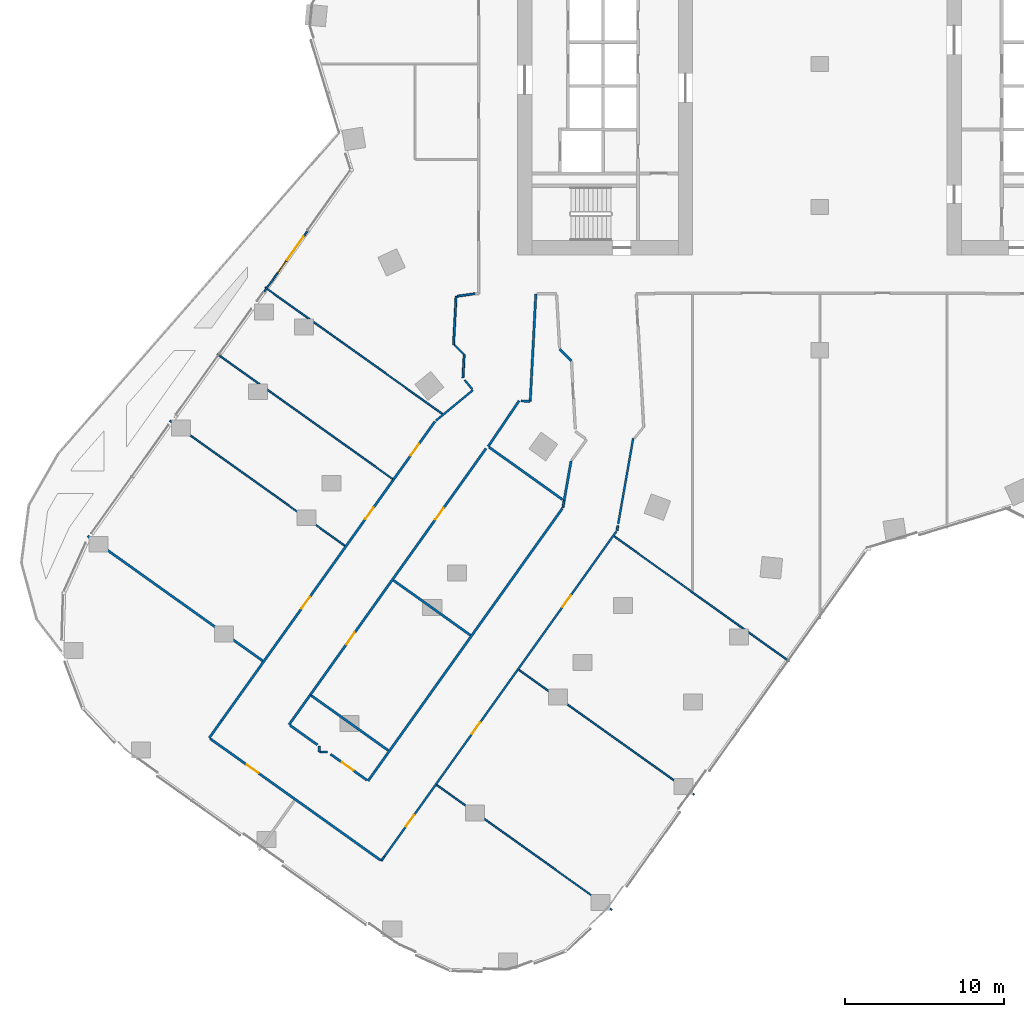
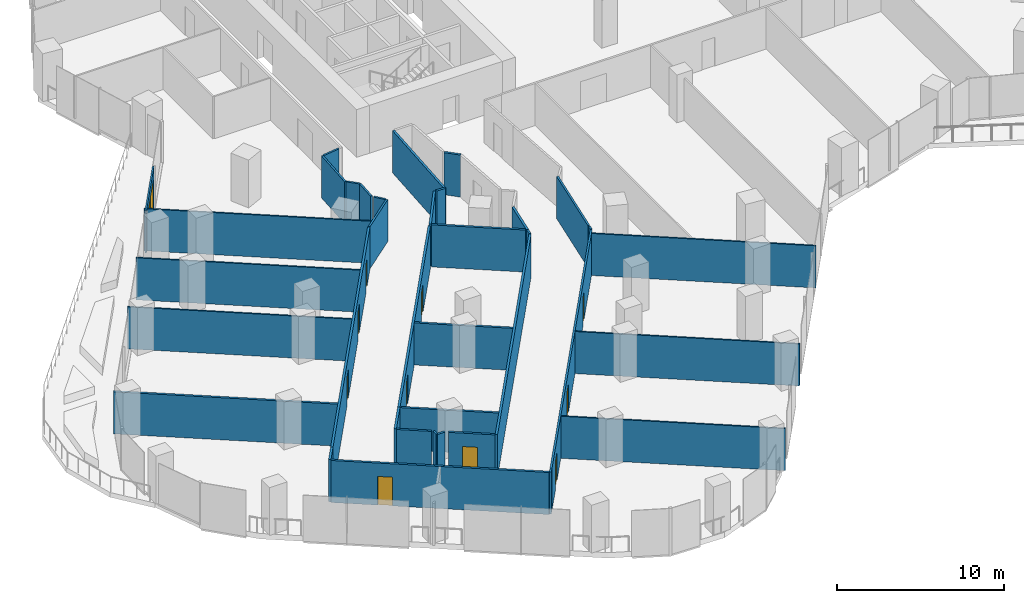
# One storey, part 21 of 30: 37 walls, 11 doors, 1 window, 12 openings.
"""IFC4 building model written with IfcOpenShell, lengths in metres."""

from ifc_helpers import new_model, si_unit, direction, frame, frame_2d, origin, place, context, subcontext, project, spatial, rectangle, extrude, material, layer, layer_set, type_object, element, fill, save


model = new_model("IFC4")

# Units and contexts
model_context = context("Model", 3, precision=1e-05, world=origin(), true_north=direction((0.0, 1.0)))
body_context = subcontext(model_context, "Body", "Model", "MODEL_VIEW")
ifc_project = project(units=[si_unit("LENGTHUNIT", "METRE"), si_unit("AREAUNIT", "SQUARE_METRE"), si_unit("VOLUMEUNIT", "CUBIC_METRE"), si_unit("PLANEANGLEUNIT", "RADIAN"), si_unit("MASSUNIT", "GRAM", prefix="KILO")], contexts=[model_context])

# Site, building, storey
site_placement = place(None, origin())
site = spatial("IfcSite", under=ifc_project, at=site_placement, CompositionType="ELEMENT")
building_placement = place(site_placement, origin())
building = spatial("IfcBuilding", under=site, at=building_placement, Name="Orlundy Tower", CompositionType="ELEMENT")
storey_placement = place(building_placement, frame((0.0, 0.0, 80.699951171875)))
storey = spatial("IfcBuildingStorey", under=building, at=storey_placement, Name="L19", CompositionType="ELEMENT", Elevation=80.699951171875)

# Walls
ifc_material_1 = material(Name="Gypsum board partition")
ifc_layer_1 = layer(ifc_material_1, 0.10009765625)
ifc_layer_set_1 = layer_set([ifc_layer_1], Name="Floor partition 100")
wall_type_1 = type_object("IfcWallType", Name="Floor partition 100", PredefinedType="PARTITIONING", material=ifc_layer_set_1)
wall_1_placement = place(storey_placement, frame((-24.092041015625, -45.3369140625, 0.0), z_axis=(0.0, 0.0, 1.0), x_axis=(0.81412935301, -0.580683559753, 0.0)))
element("IfcWall", 1, at=wall_1_placement, inside=storey, type_object=wall_type_1, Name="wall-int-L19-015", PredefinedType="PARTITIONING", context=body_context, shape_type="SweptSolid", body=[
    extrude(rectangle(XDim=13.535888671875, YDim=0.10009765625, at=frame_2d((6.76806640625, 0.0))), origin(), (0.0, 0.0, 1.0), 3.080078125),
])
wall_2_placement = place(storey_placement, frame((-40.875, -22.43310546875, 0.0), z_axis=(0.0, 0.0, 1.0), x_axis=(0.814093136476, -0.58073433267, 0.0)))
element("IfcWall", 2, at=wall_2_placement, inside=storey, type_object=wall_type_1, Name="wall-int-L19-016", PredefinedType="PARTITIONING", context=body_context, shape_type="SweptSolid", body=[
    extrude(rectangle(XDim=13.524169921875, YDim=0.10009765625, at=frame_2d((6.76220703125, 0.0))), origin(), (0.0, 0.0, 1.0), 3.080078125),
])
wall_3_placement = place(storey_placement, frame((-18.924072265625, -38.091064453125, 0.0), z_axis=(0.0, 0.0, 1.0), x_axis=(0.814103772743, -0.580719422101, 0.0)))
element("IfcWall", 3, at=wall_3_placement, inside=storey, type_object=wall_type_1, Name="wall-int-L19-018", PredefinedType="PARTITIONING", context=body_context, shape_type="SweptSolid", body=[
    extrude(rectangle(XDim=13.536376953125, YDim=0.10009765625, at=frame_2d((6.76806640625, 0.0))), origin(), (0.0, 0.0, 1.0), 3.080078125),
])
wall_4_placement = place(storey_placement, frame((-37.883056640625, -18.239013671875, 0.0), z_axis=(0.0, 0.0, 1.0), x_axis=(0.814185756817, -0.580604472423, 0.0)))
element("IfcWall", 4, at=wall_4_placement, inside=storey, type_object=wall_type_1, Name="wall-int-L19-019", PredefinedType="PARTITIONING", context=body_context, shape_type="SweptSolid", body=[
    extrude(rectangle(XDim=13.52392578125, YDim=0.10009765625, at=frame_2d((6.761962890625, 0.0))), origin(), (0.0, 0.0, 1.0), 3.080078125),
])
wall_5_placement = place(storey_placement, frame((-34.889892578125, -14.04296875, 0.0), z_axis=(0.0, 0.0, 1.0), x_axis=(0.814106649966, -0.580715388534, 0.0)))
element("IfcWall", 5, at=wall_5_placement, inside=storey, type_object=wall_type_1, Name="wall-int-L19-020", PredefinedType="PARTITIONING", context=body_context, shape_type="SweptSolid", body=[
    extrude(rectangle(XDim=13.697021484375, YDim=0.10009765625, at=frame_2d((6.8486328125, 0.0))), origin(), (0.0, 0.0, 1.0), 3.080078125),
])
wall_6_placement = place(storey_placement, frame((-12.93896484375, -29.698974609375, 0.0), z_axis=(0.0, 0.0, 1.0), x_axis=(0.814095245994, -0.580731375465, 0.0)))
element("IfcWall", 6, at=wall_6_placement, inside=storey, type_object=wall_type_1, Name="wall-int-L19-022", PredefinedType="PARTITIONING", context=body_context, shape_type="SweptSolid", body=[
    extrude(rectangle(XDim=13.53662109375, YDim=0.10009765625, at=frame_2d((6.768310546875, 0.0))), origin(), (0.0, 0.0, 1.0), 3.080078125),
])
ifc_material_2 = material(Name="Gypsum board partition, double layer")
ifc_layer_2 = layer(ifc_material_2, 0.125)
ifc_layer_set_2 = layer_set([ifc_layer_2], Name="Floor partition 125")
wall_type_2 = type_object("IfcWallType", Name="Floor partition 125", PredefinedType="PARTITIONING", material=ifc_layer_set_2)
wall_7_placement = place(storey_placement, frame((-22.339111328125, -19.864990234375, 0.0), z_axis=(0.0, 0.0, 1.0), x_axis=(0.636075239072, -0.771627040895, 0.0)))
element("IfcWall", 7, at=wall_7_placement, inside=storey, type_object=wall_type_2, Name="wall-int-L19-005", PredefinedType="PARTITIONING", context=body_context, shape_type="SweptSolid", body=[
    extrude(rectangle(XDim=0.767333984375, YDim=0.125, at=frame_2d((0.3837890625, 0.0))), origin(), (0.0, 0.0, 1.0), 3.080078125),
])
wall_8_placement = place(storey_placement, frame((-22.970947265625, -17.666015625, 0.0), z_axis=(0.0, 0.0, 1.0), x_axis=(0.706538139097, -0.707674966352, 0.0)))
element("IfcWall", 8, at=wall_8_placement, inside=storey, type_object=wall_type_2, Name="wall-int-L19-035", PredefinedType="PARTITIONING", context=body_context, shape_type="SweptSolid", body=[
    extrude(rectangle(XDim=0.859130859375, YDim=0.125, at=frame_2d((0.4296875, 0.0))), origin(), (0.0, 0.0, 1.0), 3.080078125),
])
wall_9_placement = place(storey_placement, frame((-22.7919921875, -14.59912109375, 0.0), z_axis=(0.0, 0.0, 1.0), x_axis=(0.990221510194, 0.139503981125, 0.0)))
element("IfcWall", 9, at=wall_9_placement, inside=storey, type_object=wall_type_2, Name="wall-int-L19-054", PredefinedType="PARTITIONING", context=body_context, shape_type="SweptSolid", body=[
    extrude(rectangle(XDim=1.14111328125, YDim=0.125, at=frame_2d((0.570556640625, 0.0))), origin(), (0.0, 0.0, 1.0), 3.080078125),
])
wall_10_placement = place(storey_placement, frame((-24.14208984375, -22.427001953125, 0.0), z_axis=(0.0, 0.0, 1.0), x_axis=(0.771535887112, 0.636185802182, 0.0)))
element("IfcWall", 10, at=wall_10_placement, inside=storey, type_object=wall_type_2, Name="wall-int-L19-055", PredefinedType="PARTITIONING", context=body_context, shape_type="SweptSolid", body=[
    extrude(rectangle(XDim=3.021240234375, YDim=0.125, at=frame_2d((1.5107421875, 0.0))), origin(), (0.0, 0.0, 1.0), 3.080078125),
])
wall_11_placement = place(storey_placement, frame((-27.570068359375, -50.10400390625, 0.0), z_axis=(0.0, 0.0, 1.0), x_axis=(0.583082940186, 0.812412632142, 0.0)))
element("IfcWall", 11, at=wall_11_placement, inside=storey, type_object=wall_type_2, Name="wall-int-L19-059", PredefinedType="PARTITIONING", context=body_context, shape_type="SweptSolid", body=[
    extrude(rectangle(XDim=0.30029296875, YDim=0.125, at=frame_2d((0.150146484375, 0.0))), origin(), (0.0, 0.0, 1.0), 3.080078125),
])

# Wall, openings, doors
wall_12_placement = place(storey_placement, frame((-12.787109375, -29.381103515625, 0.0), z_axis=(0.0, 0.0, 1.0), x_axis=(-0.580712931826, -0.81410840237, 0.0)))
wall_12 = element("IfcWall", 12, at=wall_12_placement, inside=storey, type_object=wall_type_2, Name="wall-int-L19-060", PredefinedType="PARTITIONING", context=body_context, shape_type="SweptSolid", body=[
    extrude(rectangle(XDim=25.155029296875, YDim=0.125, at=frame_2d((12.57763671875, 0.0))), origin(), (0.0, 0.0, 1.0), 3.080078125),
])
opening_1_placement = place(wall_12_placement, frame((4.94775390625, 0.0, 0.0)))
opening_1 = element("IfcOpeningElement", 13, at=opening_1_placement, cuts=wall_12, Name="Opening 16110", PredefinedType="OPENING", context=body_context, shape_type="SweptSolid", body=[
    extrude(rectangle(XDim=0.89990234375, YDim=2.10009765625, at=frame_2d((0.449951171875, 1.050048828125))), frame((0.0, 0.072509765625, 0.0), z_axis=(0.0, -1.0, 0.0), x_axis=(1.0, 0.0, 0.0)), (0.0, 0.0, 1.0), 0.14501953125),
])
opening_2_placement = place(wall_12_placement, frame((14.75537109375, 0.0, 0.0)))
opening_2 = element("IfcOpeningElement", 14, at=opening_2_placement, cuts=wall_12, Name="Opening 16111", PredefinedType="OPENING", context=body_context, shape_type="SweptSolid", body=[
    extrude(rectangle(XDim=0.89990234375, YDim=2.10009765625, at=frame_2d((0.449951171875, 1.050048828125))), frame((0.0, 0.072509765625, 0.0), z_axis=(0.0, -1.0, 0.0), x_axis=(1.0, 0.0, 0.0)), (0.0, 0.0, 1.0), 0.14501953125),
])
opening_3_placement = place(wall_12_placement, frame((21.905517578125, 0.0, 0.0)))
opening_3 = element("IfcOpeningElement", 15, at=opening_3_placement, cuts=wall_12, Name="Opening 16114", PredefinedType="OPENING", context=body_context, shape_type="SweptSolid", body=[
    extrude(rectangle(XDim=0.89990234375, YDim=2.10009765625, at=frame_2d((0.449951171875, 1.050048828125))), frame((0.0, 0.072509765625, 0.0), z_axis=(0.0, -1.0, 0.0), x_axis=(1.0, 0.0, 0.0)), (0.0, 0.0, 1.0), 0.14501953125),
])
ifc_material_3 = material(Name="Timber door leaf", Category="wood")
door_type_1 = type_object("IfcDoorType", Name="Floor door single 900 FD30S", OperationType="NOTDEFINED", PredefinedType="DOOR", material=ifc_material_3)
door_1_placement = place(opening_1_placement, origin())
door_1 = element("IfcDoor", 16, at=door_1_placement, inside=storey, type_object=door_type_1, Name="Door 16110", OperationType="SINGLE_SWING_LEFT", OverallHeight=2.10009765625, OverallWidth=0.89990234375, PredefinedType="DOOR", context=body_context, shape_type="SweptSolid", body=[
    extrude(rectangle(XDim=0.89990234375, YDim=2.10009765625, at=frame_2d((0.449951171875, 1.050048828125))), frame((0.0, 0.02490234375, 0.0), z_axis=(0.0, -1.0, 0.0), x_axis=(1.0, 0.0, 0.0)), (0.0, 0.0, 1.0), 0.050048828125),
])
fill(opening_1, door_1)
door_2_placement = place(opening_2_placement, origin())
door_2 = element("IfcDoor", 17, at=door_2_placement, inside=storey, type_object=door_type_1, Name="Door 16111", OperationType="SINGLE_SWING_RIGHT", OverallHeight=2.10009765625, OverallWidth=0.89990234375, PredefinedType="DOOR", context=body_context, shape_type="SweptSolid", body=[
    extrude(rectangle(XDim=0.89990234375, YDim=2.10009765625, at=frame_2d((0.449951171875, 1.050048828125))), frame((0.0, 0.02490234375, 0.0), z_axis=(0.0, -1.0, 0.0), x_axis=(1.0, 0.0, 0.0)), (0.0, 0.0, 1.0), 0.050048828125),
])
fill(opening_2, door_2)
door_3_placement = place(opening_3_placement, origin())
door_3 = element("IfcDoor", 18, at=door_3_placement, inside=storey, type_object=door_type_1, Name="Door 16114", OperationType="SINGLE_SWING_RIGHT", OverallHeight=2.10009765625, OverallWidth=0.89990234375, PredefinedType="DOOR", context=body_context, shape_type="SweptSolid", body=[
    extrude(rectangle(XDim=0.89990234375, YDim=2.10009765625, at=frame_2d((0.449951171875, 1.050048828125))), frame((0.0, 0.02490234375, 0.0), z_axis=(0.0, -1.0, 0.0), x_axis=(1.0, 0.0, 0.0)), (0.0, 0.0, 1.0), 0.050048828125),
])
fill(opening_3, door_3)

# Walls
wall_13_placement = place(storey_placement, frame((-12.7529296875, -29.3310546875, 0.0), z_axis=(0.0, 0.0, 1.0), x_axis=(0.173876753839, 0.984767421513, 0.0)))
element("IfcWall", 19, at=wall_13_placement, inside=storey, type_object=wall_type_2, Name="wall-int-L19-081", PredefinedType="PARTITIONING", context=body_context, shape_type="SweptSolid", body=[
    extrude(rectangle(XDim=0.3046875, YDim=0.125, at=frame_2d((0.15234375, 0.0))), origin(), (0.0, 0.0, 1.0), 3.080078125),
])
wall_14_placement = place(storey_placement, frame((-12.679931640625, -28.9150390625, 0.0), z_axis=(0.0, 0.0, 1.0), x_axis=(0.172666933714, 0.984980268839, 0.0)))
element("IfcWall", 20, at=wall_14_placement, inside=storey, type_object=wall_type_2, Name="wall-int-L19-083", PredefinedType="PARTITIONING", context=body_context, shape_type="SweptSolid", body=[
    extrude(rectangle(XDim=5.455078125, YDim=0.125, at=frame_2d((2.7275390625, 0.0))), origin(), (0.0, 0.0, 1.0), 3.080078125),
])
wall_15_placement = place(storey_placement, frame((-16.158935546875, -27.905029296875, 0.0), z_axis=(0.0, 0.0, 1.0), x_axis=(0.17200102348, 0.985096770841, 0.0)))
element("IfcWall", 21, at=wall_15_placement, inside=storey, type_object=wall_type_2, Name="wall-int-L19-084", PredefinedType="PARTITIONING", context=body_context, shape_type="SweptSolid", body=[
    extrude(rectangle(XDim=0.452880859375, YDim=0.125, at=frame_2d((0.2265625, 0.0))), origin(), (0.0, 0.0, 1.0), 3.080078125),
])
wall_16_placement = place(storey_placement, frame((-22.44091796875, -19.739990234375, 0.0), z_axis=(0.0, 0.0, 1.0), x_axis=(0.052384264045, 0.998627001878, 0.0)))
element("IfcWall", 22, at=wall_16_placement, inside=storey, type_object=wall_type_2, Name="wall-int-L19-088", PredefinedType="PARTITIONING", context=body_context, shape_type="SweptSolid", body=[
    extrude(rectangle(XDim=1.468017578125, YDim=0.125, at=frame_2d((0.73388671875, 0.0))), origin(), (0.0, 0.0, 1.0), 3.080078125),
])
wall_17_placement = place(storey_placement, frame((-23.032958984375, -17.6630859375, 0.0), z_axis=(0.0, 0.0, 1.0), x_axis=(0.052324034434, 0.998630159479, 0.0)))
element("IfcWall", 23, at=wall_17_placement, inside=storey, type_object=wall_type_2, Name="wall-int-L19-089", PredefinedType="PARTITIONING", context=body_context, shape_type="SweptSolid", body=[
    extrude(rectangle(XDim=3.05615234375, YDim=0.125, at=frame_2d((1.528076171875, 0.0))), origin(), (0.0, 0.0, 1.0), 3.080078125),
])

# Wall, opening, door
ifc_material_4 = material(Name="Blockwork shaft wall", Category="masonry")
ifc_layer_3 = layer(ifc_material_4, 0.14990234375)
ifc_layer_set_3 = layer_set([ifc_layer_3], Name="Floor shaft wall 150")
wall_type_3 = type_object("IfcWallType", Name="Floor shaft wall 150", PredefinedType="PARTITIONING", material=ifc_layer_set_3)
wall_18_placement = place(storey_placement, frame((-27.62109375, -50.068115234375, 0.0), z_axis=(0.0, 0.0, 1.0), x_axis=(-0.814096747286, 0.580729270881, 0.0)))
wall_18 = element("IfcWall", 24, at=wall_18_placement, inside=storey, type_object=wall_type_3, Name="wall-int-L19-010", PredefinedType="PARTITIONING", context=body_context, shape_type="SweptSolid", body=[
    extrude(rectangle(XDim=13.162841796875, YDim=0.14990234375, at=frame_2d((6.58154296875, 0.0))), origin(), (0.0, 0.0, 1.0), 3.080078125),
])
opening_4_placement = place(wall_18_placement, frame((9.437744140625, 0.0, 0.0)))
opening_4 = element("IfcOpeningElement", 25, at=opening_4_placement, cuts=wall_18, Name="Opening 16115", PredefinedType="OPENING", context=body_context, shape_type="SweptSolid", body=[
    extrude(rectangle(XDim=0.89990234375, YDim=2.10009765625, at=frame_2d((0.449951171875, 1.050048828125))), frame((0.0, 0.0849609375, 0.0), z_axis=(0.0, -1.0, 0.0), x_axis=(1.0, 0.0, 0.0)), (0.0, 0.0, 1.0), 0.169921875),
])
ifc_material_5 = material(Name="Timber door leaf", Category="wood")
door_type_2 = type_object("IfcDoorType", Name="Floor door single 900 FD60", OperationType="NOTDEFINED", PredefinedType="DOOR", material=ifc_material_5)
door_4_placement = place(opening_4_placement, origin())
door_4 = element("IfcDoor", 26, at=door_4_placement, inside=storey, type_object=door_type_2, Name="Door 16115", OperationType="SINGLE_SWING_RIGHT", OverallHeight=2.10009765625, OverallWidth=0.89990234375, PredefinedType="DOOR", context=body_context, shape_type="SweptSolid", body=[
    extrude(rectangle(XDim=0.89990234375, YDim=2.10009765625, at=frame_2d((0.449951171875, 1.050048828125))), frame((0.0, 0.02490234375, 0.0), z_axis=(0.0, -1.0, 0.0), x_axis=(1.0, 0.0, 0.0)), (0.0, 0.0, 1.0), 0.050048828125),
])
fill(opening_4, door_4)

# Wall
wall_19_placement = place(storey_placement, frame((-33.31494140625, -41.583984375, 0.0), z_axis=(0.0, 0.0, 1.0), x_axis=(0.814350377658, -0.580373554195, 0.0)))
element("IfcWall", 27, at=wall_19_placement, inside=storey, type_object=wall_type_3, Name="wall-int-L19-011", PredefinedType="PARTITIONING", context=body_context, shape_type="SweptSolid", body=[
    extrude(rectangle(XDim=2.11083984375, YDim=0.14990234375, at=frame_2d((1.055419921875, 0.0))), origin(), (0.0, 0.0, 1.0), 3.080078125),
])

# Wall, opening, door
wall_20_placement = place(storey_placement, frame((-30.764892578125, -43.402099609375, 0.0), z_axis=(0.0, 0.0, 1.0), x_axis=(0.814324494631, -0.580409870216, 0.0)))
wall_20 = element("IfcWall", 28, at=wall_20_placement, inside=storey, type_object=wall_type_3, Name="wall-int-L19-012", PredefinedType="PARTITIONING", context=body_context, shape_type="SweptSolid", body=[
    extrude(rectangle(XDim=2.81689453125, YDim=0.14990234375, at=frame_2d((1.408447265625, 0.0))), origin(), (0.0, 0.0, 1.0), 3.080078125),
])
opening_5_placement = place(wall_20_placement, frame((0.865478515625, 0.0, 0.0)))
opening_5 = element("IfcOpeningElement", 29, at=opening_5_placement, cuts=wall_20, Name="Opening 16109", PredefinedType="OPENING", context=body_context, shape_type="SweptSolid", body=[
    extrude(rectangle(XDim=0.89990234375, YDim=2.10009765625, at=frame_2d((0.449951171875, 1.050048828125))), frame((0.0, 0.0849609375, 0.0), z_axis=(0.0, -1.0, 0.0), x_axis=(1.0, 0.0, 0.0)), (0.0, 0.0, 1.0), 0.169921875),
])
door_5_placement = place(opening_5_placement, origin())
door_5 = element("IfcDoor", 30, at=door_5_placement, inside=storey, type_object=door_type_2, Name="Door 16109", OperationType="SINGLE_SWING_LEFT", OverallHeight=2.10009765625, OverallWidth=0.89990234375, PredefinedType="DOOR", context=body_context, shape_type="SweptSolid", body=[
    extrude(rectangle(XDim=0.89990234375, YDim=2.10009765625, at=frame_2d((0.449951171875, 1.050048828125))), frame((0.0, 0.02490234375, 0.0), z_axis=(0.0, -1.0, 0.0), x_axis=(1.0, 0.0, 0.0)), (0.0, 0.0, 1.0), 0.050048828125),
])
fill(opening_5, door_5)

# Walls
wall_21_placement = place(storey_placement, frame((-46.0439453125, -29.679931640625, 0.0), z_axis=(0.0, 0.0, 1.0), x_axis=(0.814185756817, -0.580604472423, 0.0)))
element("IfcWall", 31, at=wall_21_placement, inside=storey, type_object=wall_type_3, Name="wall-int-L19-013", PredefinedType="PARTITIONING", context=body_context, shape_type="SweptSolid", body=[
    extrude(rectangle(XDim=13.52392578125, YDim=0.14990234375, at=frame_2d((6.761962890625, 0.0))), origin(), (0.0, 0.0, 1.0), 3.080078125),
])
wall_22_placement = place(storey_placement, frame((-31.97900390625, -39.7119140625, 0.0), z_axis=(0.0, 0.0, 1.0), x_axis=(0.814224065699, -0.580550747857, 0.0)))
element("IfcWall", 32, at=wall_22_placement, inside=storey, type_object=wall_type_3, Name="wall-int-L19-014", PredefinedType="PARTITIONING", context=body_context, shape_type="SweptSolid", body=[
    extrude(rectangle(XDim=5.947998046875, YDim=0.14990234375, at=frame_2d((2.97412109375, 0.0))), origin(), (0.0, 0.0, 1.0), 3.080078125),
])
wall_23_placement = place(storey_placement, frame((-26.81103515625, -32.466064453125, 0.0), z_axis=(0.0, 0.0, 1.0), x_axis=(0.814165859022, -0.580632374229, 0.0)))
element("IfcWall", 33, at=wall_23_placement, inside=storey, type_object=wall_type_3, Name="wall-int-L19-017", PredefinedType="PARTITIONING", context=body_context, shape_type="SweptSolid", body=[
    extrude(rectangle(XDim=5.948486328125, YDim=0.14990234375, at=frame_2d((2.97412109375, 0.0))), origin(), (0.0, 0.0, 1.0), 3.080078125),
])
wall_24_placement = place(storey_placement, frame((-20.7958984375, -24.095947265625, 0.0), z_axis=(0.0, 0.0, 1.0), x_axis=(0.814114264503, -0.580704713544, 0.0)))
element("IfcWall", 34, at=wall_24_placement, inside=storey, type_object=wall_type_3, Name="wall-int-L19-021", PredefinedType="PARTITIONING", context=body_context, shape_type="SweptSolid", body=[
    extrude(rectangle(XDim=5.67236328125, YDim=0.14990234375, at=frame_2d((2.836181640625, 0.0))), origin(), (0.0, 0.0, 1.0), 3.080078125),
])
wall_25_placement = place(storey_placement, frame((-18.778076171875, -21.18408203125, 0.0), z_axis=(0.0, 0.0, 1.0), x_axis=(0.99870791772, -0.050818255408, 0.0)))
element("IfcWall", 35, at=wall_25_placement, inside=storey, type_object=wall_type_3, Name="wall-int-L19-036", PredefinedType="PARTITIONING", context=body_context, shape_type="SweptSolid", body=[
    extrude(rectangle(XDim=0.56689453125, YDim=0.14990234375, at=frame_2d((0.283447265625, 0.0))), origin(), (0.0, 0.0, 1.0), 3.080078125),
])
wall_26_placement = place(storey_placement, frame((-31.47705078125, -43.264892578125, 0.0), z_axis=(0.0, 0.0, 1.0), x_axis=(1.0, 0.0, 0.0)))
element("IfcWall", 36, at=wall_26_placement, inside=storey, type_object=wall_type_3, Name="wall-int-L19-037", PredefinedType="PARTITIONING", context=body_context, shape_type="SweptSolid", body=[
    extrude(rectangle(XDim=0.52099609375, YDim=0.14990234375, at=frame_2d((0.260498046875, 0.0))), origin(), (0.0, 0.0, 1.0), 3.080078125),
])
wall_27_placement = place(storey_placement, frame((-16.35888671875, -17.93310546875, 0.0), z_axis=(0.0, 0.0, 1.0), x_axis=(0.710493081661, -0.703704185658, 0.0)))
element("IfcWall", 37, at=wall_27_placement, inside=storey, type_object=wall_type_3, Name="wall-int-L19-053", PredefinedType="PARTITIONING", context=body_context, shape_type="SweptSolid", body=[
    extrude(rectangle(XDim=1.04296875, YDim=0.14990234375, at=frame_2d((0.521484375, 0.0))), origin(), (0.0, 0.0, 1.0), 3.080078125),
])
wall_28_placement = place(storey_placement, frame((-20.85693359375, -24.052001953125, 0.0), z_axis=(0.0, 0.0, 1.0), x_axis=(0.560544895906, 0.828124036406, 0.0)))
element("IfcWall", 38, at=wall_28_placement, inside=storey, type_object=wall_type_3, Name="wall-int-L19-056", PredefinedType="PARTITIONING", context=body_context, shape_type="SweptSolid", body=[
    extrude(rectangle(XDim=3.4716796875, YDim=0.14990234375, at=frame_2d((1.73583984375, 0.0))), origin(), (0.0, 0.0, 1.0), 3.080078125),
])
wall_29_placement = place(storey_placement, frame((-28.409912109375, -45.0810546875, 0.0), z_axis=(0.0, 0.0, 1.0), x_axis=(0.580610007884, 0.814181809392, 0.0)))
element("IfcWall", 39, at=wall_29_placement, inside=storey, type_object=wall_type_3, Name="wall-int-L19-061", PredefinedType="PARTITIONING", context=body_context, shape_type="SweptSolid", body=[
    extrude(rectangle(XDim=21.03466796875, YDim=0.14990234375, at=frame_2d((10.517333984375, 0.0))), origin(), (0.0, 0.0, 1.0), 3.080078125),
])
wall_30_placement = place(storey_placement, frame((-33.3759765625, -41.5400390625, 0.0), z_axis=(0.0, 0.0, 1.0), x_axis=(0.580876637745, 0.813991604209, 0.0)))
element("IfcWall", 40, at=wall_30_placement, inside=storey, type_object=wall_type_3, Name="wall-int-L19-063", PredefinedType="PARTITIONING", context=body_context, shape_type="SweptSolid", body=[
    extrude(rectangle(XDim=2.2998046875, YDim=0.14990234375, at=frame_2d((1.14990234375, 0.0))), origin(), (0.0, 0.0, 1.0), 3.080078125),
])

# Wall, openings, doors
wall_31_placement = place(storey_placement, frame((-20.991943359375, -24.177978515625, 0.0), z_axis=(0.0, 0.0, 1.0), x_axis=(-0.580674845043, -0.814135568768, 0.0)))
wall_31 = element("IfcWall", 41, at=wall_31_placement, inside=storey, type_object=wall_type_3, Name="wall-int-L19-064", PredefinedType="PARTITIONING", context=body_context, shape_type="SweptSolid", body=[
    extrude(rectangle(XDim=19.0263671875, YDim=0.14990234375, at=frame_2d((9.51318359375, 0.0))), origin(), (0.0, 0.0, 1.0), 3.080078125),
])
opening_6_placement = place(wall_31_placement, frame((4.599853515625, 0.0, 0.0)))
opening_6 = element("IfcOpeningElement", 42, at=opening_6_placement, cuts=wall_31, Name="Opening 16112", PredefinedType="OPENING", context=body_context, shape_type="SweptSolid", body=[
    extrude(rectangle(XDim=0.89990234375, YDim=2.10009765625, at=frame_2d((0.449951171875, 1.050048828125))), frame((0.0, 0.0849609375, 0.0), z_axis=(0.0, -1.0, 0.0), x_axis=(1.0, 0.0, 0.0)), (0.0, 0.0, 1.0), 0.169921875),
])
opening_7_placement = place(wall_31_placement, frame((14.22607421875, 0.0, 0.0)))
opening_7 = element("IfcOpeningElement", 43, at=opening_7_placement, cuts=wall_31, Name="Opening 16113", PredefinedType="OPENING", context=body_context, shape_type="SweptSolid", body=[
    extrude(rectangle(XDim=0.89990234375, YDim=2.10009765625, at=frame_2d((0.449951171875, 1.050048828125))), frame((0.0, 0.0849609375, 0.0), z_axis=(0.0, -1.0, 0.0), x_axis=(1.0, 0.0, 0.0)), (0.0, 0.0, 1.0), 0.169921875),
])
door_6_placement = place(opening_6_placement, origin())
door_6 = element("IfcDoor", 44, at=door_6_placement, inside=storey, type_object=door_type_2, Name="Door 16112", OperationType="SINGLE_SWING_LEFT", OverallHeight=2.10009765625, OverallWidth=0.89990234375, PredefinedType="DOOR", context=body_context, shape_type="SweptSolid", body=[
    extrude(rectangle(XDim=0.89990234375, YDim=2.10009765625, at=frame_2d((0.449951171875, 1.050048828125))), frame((0.0, 0.02490234375, 0.0), z_axis=(0.0, -1.0, 0.0), x_axis=(1.0, 0.0, 0.0)), (0.0, 0.0, 1.0), 0.050048828125),
])
fill(opening_6, door_6)
door_7_placement = place(opening_7_placement, origin())
door_7 = element("IfcDoor", 45, at=door_7_placement, inside=storey, type_object=door_type_2, Name="Door 16113", OperationType="SINGLE_SWING_RIGHT", OverallHeight=2.10009765625, OverallWidth=0.89990234375, PredefinedType="DOOR", context=body_context, shape_type="SweptSolid", body=[
    extrude(rectangle(XDim=0.89990234375, YDim=2.10009765625, at=frame_2d((0.449951171875, 1.050048828125))), frame((0.0, 0.02490234375, 0.0), z_axis=(0.0, -1.0, 0.0), x_axis=(1.0, 0.0, 0.0)), (0.0, 0.0, 1.0), 0.050048828125),
])
fill(opening_7, door_7)

wall_32_placement = place(storey_placement, frame((-37.62109375, -41.2900390625, 0.0), z_axis=(0.0, 0.0, 1.0), x_axis=(0.580691447967, 0.814123726628, 0.0)))
wall_32 = element("IfcWall", 46, at=wall_32_placement, inside=storey, type_object=wall_type_3, Name="wall-int-L19-065", PredefinedType="PARTITIONING", context=body_context, shape_type="SweptSolid", body=[
    extrude(rectangle(XDim=23.110595703125, YDim=0.14990234375, at=frame_2d((11.55517578125, 0.0))), origin(), (0.0, 0.0, 1.0), 3.080078125),
])
opening_8_placement = place(wall_32_placement, frame((20.46533203125, 0.0, 0.0)))
opening_8 = element("IfcOpeningElement", 47, at=opening_8_placement, cuts=wall_32, Name="Opening 16116", PredefinedType="OPENING", context=body_context, shape_type="SweptSolid", body=[
    extrude(rectangle(XDim=0.89990234375, YDim=2.10009765625, at=frame_2d((0.449951171875, 1.050048828125))), frame((0.0, 0.0849609375, 0.0), z_axis=(0.0, -1.0, 0.0), x_axis=(1.0, 0.0, 0.0)), (0.0, 0.0, 1.0), 0.169921875),
])
opening_9_placement = place(wall_32_placement, frame((15.561279296875, 0.0, 0.0)))
opening_9 = element("IfcOpeningElement", 48, at=opening_9_placement, cuts=wall_32, Name="Opening 16117", PredefinedType="OPENING", context=body_context, shape_type="SweptSolid", body=[
    extrude(rectangle(XDim=0.89990234375, YDim=2.10009765625, at=frame_2d((0.449951171875, 1.050048828125))), frame((0.0, 0.0849609375, 0.0), z_axis=(0.0, -1.0, 0.0), x_axis=(1.0, 0.0, 0.0)), (0.0, 0.0, 1.0), 0.169921875),
])
opening_10_placement = place(wall_32_placement, frame((8.661865234375, 0.0, 0.0)))
opening_10 = element("IfcOpeningElement", 49, at=opening_10_placement, cuts=wall_32, Name="Opening 16118", PredefinedType="OPENING", context=body_context, shape_type="SweptSolid", body=[
    extrude(rectangle(XDim=0.89990234375, YDim=2.10009765625, at=frame_2d((0.449951171875, 1.050048828125))), frame((0.0, 0.0849609375, 0.0), z_axis=(0.0, -1.0, 0.0), x_axis=(1.0, 0.0, 0.0)), (0.0, 0.0, 1.0), 0.169921875),
])
door_8_placement = place(opening_8_placement, origin())
door_8 = element("IfcDoor", 50, at=door_8_placement, inside=storey, type_object=door_type_2, Name="Door 16116", OperationType="SINGLE_SWING_RIGHT", OverallHeight=2.10009765625, OverallWidth=0.89990234375, PredefinedType="DOOR", context=body_context, shape_type="SweptSolid", body=[
    extrude(rectangle(XDim=0.89990234375, YDim=2.10009765625, at=frame_2d((0.449951171875, 1.050048828125))), frame((0.0, 0.02490234375, 0.0), z_axis=(0.0, -1.0, 0.0), x_axis=(1.0, 0.0, 0.0)), (0.0, 0.0, 1.0), 0.050048828125),
])
fill(opening_8, door_8)
door_9_placement = place(opening_9_placement, origin())
door_9 = element("IfcDoor", 51, at=door_9_placement, inside=storey, type_object=door_type_2, Name="Door 16117", OperationType="SINGLE_SWING_RIGHT", OverallHeight=2.10009765625, OverallWidth=0.89990234375, PredefinedType="DOOR", context=body_context, shape_type="SweptSolid", body=[
    extrude(rectangle(XDim=0.89990234375, YDim=2.10009765625, at=frame_2d((0.449951171875, 1.050048828125))), frame((0.0, 0.02490234375, 0.0), z_axis=(0.0, -1.0, 0.0), x_axis=(1.0, 0.0, 0.0)), (0.0, 0.0, 1.0), 0.050048828125),
])
fill(opening_9, door_9)
door_10_placement = place(opening_10_placement, origin())
door_10 = element("IfcDoor", 52, at=door_10_placement, inside=storey, type_object=door_type_2, Name="Door 16118", OperationType="SINGLE_SWING_LEFT", OverallHeight=2.10009765625, OverallWidth=0.89990234375, PredefinedType="DOOR", context=body_context, shape_type="SweptSolid", body=[
    extrude(rectangle(XDim=0.89990234375, YDim=2.10009765625, at=frame_2d((0.449951171875, 1.050048828125))), frame((0.0, 0.02490234375, 0.0), z_axis=(0.0, -1.0, 0.0), x_axis=(1.0, 0.0, 0.0)), (0.0, 0.0, 1.0), 0.050048828125),
])
fill(opening_10, door_10)

# Walls
wall_33_placement = place(storey_placement, frame((-38.39794921875, -42.3798828125, 0.0), z_axis=(0.0, 0.0, 1.0), x_axis=(0.580444165939, 0.814300049262, 0.0)))
element("IfcWall", 53, at=wall_33_placement, inside=storey, type_object=wall_type_3, Name="wall-int-L19-066", PredefinedType="PARTITIONING", context=body_context, shape_type="SweptSolid", body=[
    extrude(rectangle(XDim=1.33837890625, YDim=0.14990234375, at=frame_2d((0.669189453125, 0.0))), origin(), (0.0, 0.0, 1.0), 3.080078125),
])
wall_34_placement = place(storey_placement, frame((-16.0810546875, -27.458984375, 0.0), z_axis=(0.0, 0.0, 1.0), x_axis=(0.17293102002, 0.984933938046, 0.0)))
element("IfcWall", 54, at=wall_34_placement, inside=storey, type_object=wall_type_3, Name="wall-int-L19-082", PredefinedType="PARTITIONING", context=body_context, shape_type="SweptSolid", body=[
    extrude(rectangle(XDim=2.527099609375, YDim=0.14990234375, at=frame_2d((1.263671875, 0.0))), origin(), (0.0, 0.0, 1.0), 3.080078125),
])
wall_35_placement = place(storey_placement, frame((-18.2109375, -21.212890625, 0.0), z_axis=(0.0, 0.0, 1.0), x_axis=(0.052183789458, 0.998637497853, 0.0)))
element("IfcWall", 55, at=wall_35_placement, inside=storey, type_object=wall_type_3, Name="wall-int-L19-087", PredefinedType="PARTITIONING", context=body_context, shape_type="SweptSolid", body=[
    extrude(rectangle(XDim=6.76513671875, YDim=0.14990234375, at=frame_2d((3.382568359375, 0.0))), origin(), (0.0, 0.0, 1.0), 3.080078125),
])
wall_36_placement = place(storey_placement, frame((-31.47705078125, -43.264892578125, 0.0), z_axis=(0.0, 0.0, 1.0), x_axis=(0.0, 1.0, 0.0)))
element("IfcWall", 56, at=wall_36_placement, inside=storey, type_object=wall_type_3, Name="wall-int-L19-105", PredefinedType="PARTITIONING", context=body_context, shape_type="SweptSolid", body=[
    extrude(rectangle(XDim=0.370849609375, YDim=0.14990234375, at=frame_2d((0.185546875, 0.0))), origin(), (0.0, 0.0, 1.0), 3.080078125),
])

# Wall, openings, window, door
ifc_material_6 = material(Name="Aluminium bronze and tinted glass", Category="aluminium")
ifc_layer_4 = layer(ifc_material_6, 0.10009765625)
ifc_layer_set_4 = layer_set([ifc_layer_4], Name="Glazed door screen")
wall_type_4 = type_object("IfcWallType", Name="Glazed door screen", PredefinedType="STANDARD", material=ifc_layer_set_4)
wall_37_placement = place(storey_placement, frame((-34.943359375, -14.32421875, 0.0), z_axis=(0.0, 0.0, 1.0), x_axis=(0.580693274378, 0.814122423897, 0.0)))
wall_37 = element("IfcWall", 57, at=wall_37_placement, inside=storey, type_object=wall_type_4, Name="Glazed door screen", PredefinedType="STANDARD", context=body_context, shape_type="SweptSolid", body=[
    extrude(rectangle(XDim=4.70556640625, YDim=0.10009765625, at=frame_2d((2.352783203125, 0.0))), origin(), (0.0, 0.0, 1.0), 3.10009765625),
])
opening_11_placement = place(wall_37_placement, frame((2.471923828125, 0.0, 0.0)))
opening_11 = element("IfcOpeningElement", 58, at=opening_11_placement, cuts=wall_37, Name="Opening 16940", PredefinedType="OPENING", context=body_context, shape_type="SweptSolid", body=[
    extrude(rectangle(XDim=1.800048828125, YDim=2.39990234375, at=frame_2d((0.89990234375, 1.199951171875))), frame((0.0, 0.06005859375, 0.0), z_axis=(0.0, -1.0, 0.0), x_axis=(1.0, 0.0, 0.0)), (0.0, 0.0, 1.0), 0.1201171875),
])
opening_12_placement = place(wall_37_placement, frame((1.471923828125, 0.0, 0.0)))
opening_12 = element("IfcOpeningElement", 59, at=opening_12_placement, cuts=wall_37, Name="Opening W02", PredefinedType="OPENING", context=body_context, shape_type="SweptSolid", body=[
    extrude(rectangle(XDim=0.89990234375, YDim=2.39990234375, at=frame_2d((0.449951171875, 1.199951171875))), frame((0.0, 0.06005859375, 0.0), z_axis=(0.0, -1.0, 0.0), x_axis=(1.0, 0.0, 0.0)), (0.0, 0.0, 1.0), 0.1201171875),
])
ifc_material_7 = material(Name="Tinted glass in bronze aluminium frame", Category="aluminium")
window_type = type_object("IfcWindowType", Name="SL2 sidelight 900x2400", PartitioningType="SINGLE_PANEL", PredefinedType="WINDOW", material=ifc_material_7)
window_placement = place(opening_12_placement, origin())
window = element("IfcWindow", 60, at=window_placement, inside=storey, type_object=window_type, Name="Window W02 L19", OverallHeight=2.39990234375, OverallWidth=0.89990234375, PartitioningType="SINGLE_PANEL", PredefinedType="WINDOW", context=body_context, shape_type="SweptSolid", body=[
    extrude(rectangle(XDim=0.89990234375, YDim=2.39990234375, at=frame_2d((0.449951171875, 1.199951171875))), frame((0.0, 0.030029296875, 0.0), z_axis=(0.0, -1.0, 0.0), x_axis=(1.0, 0.0, 0.0)), (0.0, 0.0, 1.0), 0.06005859375),
])
fill(opening_12, window)
ifc_material_8 = material(Name="Aluminium bronze and tinted glass", Category="aluminium")
door_type_3 = type_object("IfcDoorType", Name="TD1 terrace door 1800x2400", OperationType="NOTDEFINED", PredefinedType="DOOR", material=ifc_material_8)
door_11_placement = place(opening_11_placement, origin())
door_11 = element("IfcDoor", 61, at=door_11_placement, inside=storey, type_object=door_type_3, Name="Door 16940", OperationType="DOUBLE_DOOR_SINGLE_SWING", OverallHeight=2.39990234375, OverallWidth=1.800048828125, PredefinedType="DOOR", context=body_context, shape_type="SweptSolid", body=[
    extrude(rectangle(XDim=1.800048828125, YDim=2.39990234375, at=frame_2d((0.89990234375, 1.199951171875))), frame((0.0, 0.02490234375, 0.0), z_axis=(0.0, -1.0, 0.0), x_axis=(1.0, 0.0, 0.0)), (0.0, 0.0, 1.0), 0.050048828125),
])
fill(opening_11, door_11)

save(model, "model.ifc")
